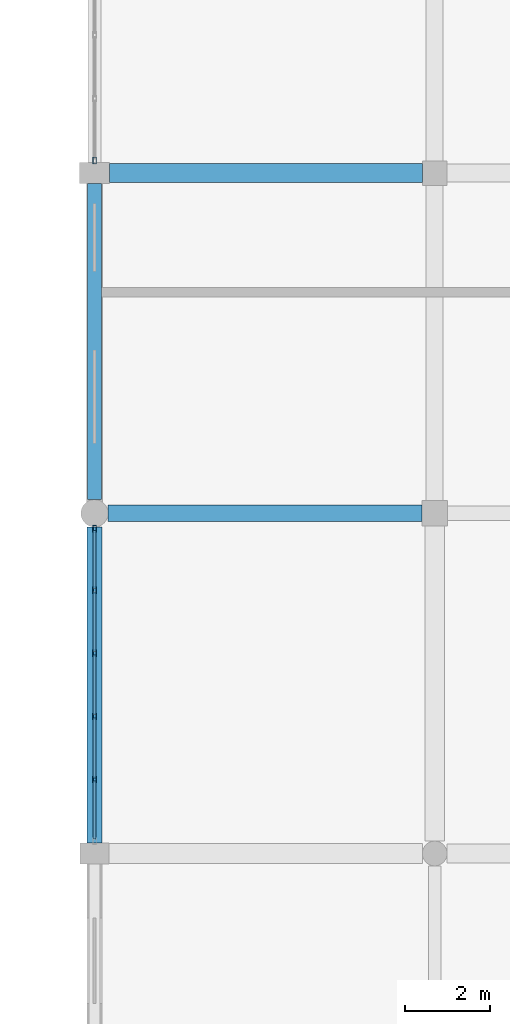
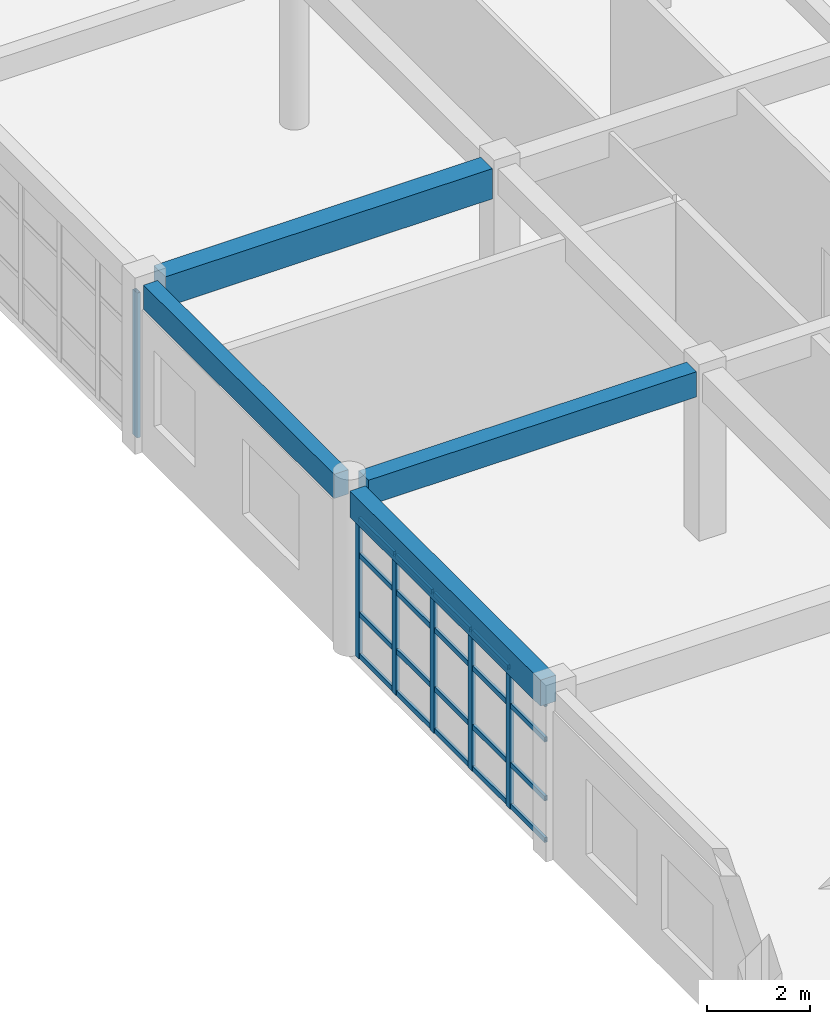
# One storey, part 19 of 53: 26 members, 4 beams, 2 elements without a shape of their own.
"""IFC4 building model written with IfcOpenShell, lengths in metres."""

from ifc_helpers import new_model, si_unit, direction, frame, origin, origin_2d, place, context, subcontext, project, spatial, rectangle, hollow_rectangle, extrude, material, material_profile, profile_set, type_object, element, aggregate, save


model = new_model("IFC4")

# Units and contexts
model_context = context("Model", 3, precision=1e-05, world=origin(), true_north=direction((0.0, 1.0)))
body_context = subcontext(model_context, "Body", "Model", "MODEL_VIEW")
ifc_project = project(units=[si_unit("LENGTHUNIT", "METRE"), si_unit("AREAUNIT", "SQUARE_METRE"), si_unit("VOLUMEUNIT", "CUBIC_METRE"), si_unit("PLANEANGLEUNIT", "RADIAN"), si_unit("MASSUNIT", "GRAM", prefix="KILO")], contexts=[model_context])

# Site, building, storey
site_placement = place(None, origin())
site = spatial("IfcSite", under=ifc_project, at=site_placement, CompositionType="ELEMENT")
building_placement = place(site_placement, origin())
building = spatial("IfcBuilding", under=site, at=building_placement, Name="Kharva Crest Polytechnic", CompositionType="ELEMENT")
storey_placement = place(building_placement, frame((0.0, 0.0, 17.39990234375)))
storey = spatial("IfcBuildingStorey", under=building, at=storey_placement, Name="L04", CompositionType="ELEMENT", Elevation=17.39990234375)

# Beams
ifc_material_1 = material(Name="Concrete C35/45", Category="concrete")
ifc_material_profile_1 = material_profile(ifc_material_1, rectangle(XDim=0.3798828125, YDim=0.60009765625, at=origin_2d()), Name="RECT 380 X 600")
ifc_profile_set_1 = profile_set([ifc_material_profile_1], Name="Concrete C35/45")
beam_type_1 = type_object("IfcBeamType", Name="BM-RC-380X600", PredefinedType="BEAM", material=ifc_profile_set_1)
beam_1_placement = place(storey_placement, frame((153.1201171875, 62.800048828125, 3.670166015625), z_axis=(1.0, 0.0, 0.0), x_axis=(0.0, 1.0, 0.0)))
element("IfcBeam", 1, at=beam_1_placement, inside=storey, type_object=beam_type_1, Name="L04 Beam J/20-21", PredefinedType="BEAM", context=body_context, shape_type="SweptSolid", body=[
    extrude(rectangle(XDim=0.3798828125, YDim=0.60009765625, at=origin_2d()), origin(), (0.0, 0.0, 1.0), 7.3798828125),
])
ifc_material_profile_2 = material_profile(ifc_material_1, rectangle(XDim=0.449951171875, YDim=0.719970703125, at=origin_2d()), Name="RECT 450 X 720")
ifc_profile_set_2 = profile_set([ifc_material_profile_2], Name="Concrete C35/45")
beam_type_2 = type_object("IfcBeamType", Name="BM-RC-450X720", PredefinedType="BEAM", material=ifc_profile_set_2)
beam_2_placement = place(storey_placement, frame((153.14990234375, 70.800048828125, 3.610107421875), z_axis=(1.0, 0.0, 0.0), x_axis=(0.0, 1.0, 0.0)))
element("IfcBeam", 2, at=beam_2_placement, inside=storey, type_object=beam_type_2, Name="L04 Beam K/20-21", PredefinedType="BEAM", context=body_context, shape_type="SweptSolid", body=[
    extrude(rectangle(XDim=0.449951171875, YDim=0.719970703125, at=origin_2d()), origin(), (0.0, 0.0, 1.0), 7.360107421875),
])

# Curtain wall, member
ifc_material_2 = material(Name="Tempered insulated glass", Category="glass")
curtain_wall_type = type_object("IfcCurtainWallType", Name="CW-SYS-STUDIO", PredefinedType="USERDEFINED", material=ifc_material_2)
curtain_wall_1_placement = place(storey_placement, origin())
curtain_wall_1 = element("IfcCurtainWall", 3, at=curtain_wall_1_placement, inside=storey, type_object=curtain_wall_type, Name="L04 Glazed Curtain Wall CW-183", ObjectType="CURTAIN WALL", PredefinedType="USERDEFINED")
ifc_material_3 = material(Name="Steel S355", Category="steel")
ifc_material_profile_3 = material_profile(ifc_material_3, hollow_rectangle(XDim=0.080078125, YDim=0.159912109375, WallThickness=0.0048828125, at=origin_2d()), Name="RHS 160X80X5.0")
ifc_profile_set_3 = profile_set([ifc_material_profile_3], Name="Steel S355")
member_type_1 = type_object("IfcMemberType", Name="CWM-RHS160X80", PredefinedType="MULLION", material=ifc_profile_set_3)
member_1_placement = place(storey_placement, frame((152.800048828125, 71.094970703125, 0.0), z_axis=(0.0, 0.0, 1.0), x_axis=(1.0, 0.0, 0.0)))
member_1 = element("IfcMember", 4, at=member_1_placement, type_object=member_type_1, Name="CW-183 mullion 6", PredefinedType="MULLION", context=body_context, shape_type="SweptSolid", body=[
    extrude(hollow_rectangle(XDim=0.080078125, YDim=0.159912109375, WallThickness=0.0048828125, at=origin_2d()), origin(), (0.0, 0.0, 1.0), 3.4501953125),
])
aggregate(curtain_wall_1, [member_1])

# Curtain wall, members
curtain_wall_2_placement = place(storey_placement, origin())
curtain_wall_2 = element("IfcCurtainWall", 5, at=curtain_wall_2_placement, inside=storey, type_object=curtain_wall_type, Name="L04 Glazed Curtain Wall CW-184", ObjectType="CURTAIN WALL", PredefinedType="USERDEFINED")
member_2_placement = place(storey_placement, frame((152.800048828125, 62.43505859375, 0.0), z_axis=(0.0, 0.0, 1.0), x_axis=(1.0, 0.0, 0.0)))
member_2 = element("IfcMember", 6, at=member_2_placement, type_object=member_type_1, Name="CW-184 mullion 1", PredefinedType="MULLION", context=body_context, shape_type="SweptSolid", body=[
    extrude(hollow_rectangle(XDim=0.080078125, YDim=0.159912109375, WallThickness=0.0048828125, at=origin_2d()), origin(), (0.0, 0.0, 1.0), 3.35009765625),
])
member_3_placement = place(storey_placement, frame((152.800048828125, 60.990966796875, 0.0), z_axis=(0.0, 0.0, 1.0), x_axis=(1.0, 0.0, 0.0)))
member_3 = element("IfcMember", 7, at=member_3_placement, type_object=member_type_1, Name="CW-184 mullion 2", PredefinedType="MULLION", context=body_context, shape_type="SweptSolid", body=[
    extrude(hollow_rectangle(XDim=0.080078125, YDim=0.159912109375, WallThickness=0.0048828125, at=origin_2d()), origin(), (0.0, 0.0, 1.0), 3.35009765625),
])
member_4_placement = place(storey_placement, frame((152.800048828125, 59.507080078125, 0.0), z_axis=(0.0, 0.0, 1.0), x_axis=(1.0, 0.0, 0.0)))
member_4 = element("IfcMember", 8, at=member_4_placement, type_object=member_type_1, Name="CW-184 mullion 3", PredefinedType="MULLION", context=body_context, shape_type="SweptSolid", body=[
    extrude(hollow_rectangle(XDim=0.080078125, YDim=0.159912109375, WallThickness=0.0048828125, at=origin_2d()), origin(), (0.0, 0.0, 1.0), 3.35009765625),
])
member_5_placement = place(storey_placement, frame((152.800048828125, 58.02294921875, 0.0), z_axis=(0.0, 0.0, 1.0), x_axis=(1.0, 0.0, 0.0)))
member_5 = element("IfcMember", 9, at=member_5_placement, type_object=member_type_1, Name="CW-184 mullion 4", PredefinedType="MULLION", context=body_context, shape_type="SweptSolid", body=[
    extrude(hollow_rectangle(XDim=0.080078125, YDim=0.159912109375, WallThickness=0.0048828125, at=origin_2d()), origin(), (0.0, 0.0, 1.0), 3.35009765625),
])
member_6_placement = place(storey_placement, frame((152.800048828125, 56.5390625, 0.0), z_axis=(0.0, 0.0, 1.0), x_axis=(1.0, 0.0, 0.0)))
member_6 = element("IfcMember", 10, at=member_6_placement, type_object=member_type_1, Name="CW-184 mullion 5", PredefinedType="MULLION", context=body_context, shape_type="SweptSolid", body=[
    extrude(hollow_rectangle(XDim=0.080078125, YDim=0.159912109375, WallThickness=0.0048828125, at=origin_2d()), origin(), (0.0, 0.0, 1.0), 3.35009765625),
])
ifc_material_profile_4 = material_profile(ifc_material_3, hollow_rectangle(XDim=0.06005859375, YDim=0.1201171875, WallThickness=0.00390625, at=origin_2d()), Name="RHS 120X60X4.0")
ifc_profile_set_4 = profile_set([ifc_material_profile_4], Name="Steel S355")
member_type_2 = type_object("IfcMemberType", Name="CWT-RHS120X60", PredefinedType="USERDEFINED", material=ifc_profile_set_4)
member_7_placement = place(storey_placement, frame((152.800048828125, 62.39501953125, 0.06005859375), z_axis=(0.0, -1.0, 0.0), x_axis=(1.0, 0.0, 0.0)))
member_7 = element("IfcMember", 11, at=member_7_placement, type_object=member_type_2, Name="CW-184 transom 1.1", ObjectType="TRANSOM", PredefinedType="USERDEFINED", context=body_context, shape_type="SweptSolid", body=[
    extrude(hollow_rectangle(XDim=0.06005859375, YDim=0.1201171875, WallThickness=0.00390625, at=origin_2d()), origin(), (0.0, 0.0, 1.0), 1.364013671875),
])
member_8_placement = place(storey_placement, frame((152.800048828125, 62.39501953125, 1.050048828125), z_axis=(0.0, -1.0, 0.0), x_axis=(1.0, 0.0, 0.0)))
member_8 = element("IfcMember", 12, at=member_8_placement, type_object=member_type_2, Name="CW-184 transom 1.2", ObjectType="TRANSOM", PredefinedType="USERDEFINED", context=body_context, shape_type="SweptSolid", body=[
    extrude(hollow_rectangle(XDim=0.06005859375, YDim=0.1201171875, WallThickness=0.00390625, at=origin_2d()), origin(), (0.0, 0.0, 1.0), 1.364013671875),
])
member_9_placement = place(storey_placement, frame((152.800048828125, 62.39501953125, 2.4501953125), z_axis=(0.0, -1.0, 0.0), x_axis=(1.0, 0.0, 0.0)))
member_9 = element("IfcMember", 13, at=member_9_placement, type_object=member_type_2, Name="CW-184 transom 1.3", ObjectType="TRANSOM", PredefinedType="USERDEFINED", context=body_context, shape_type="SweptSolid", body=[
    extrude(hollow_rectangle(XDim=0.06005859375, YDim=0.1201171875, WallThickness=0.00390625, at=origin_2d()), origin(), (0.0, 0.0, 1.0), 1.364013671875),
])
member_10_placement = place(storey_placement, frame((152.800048828125, 62.39501953125, 3.2900390625), z_axis=(0.0, -1.0, 0.0), x_axis=(1.0, 0.0, 0.0)))
member_10 = element("IfcMember", 14, at=member_10_placement, type_object=member_type_2, Name="CW-184 transom 1.4", ObjectType="TRANSOM", PredefinedType="USERDEFINED", context=body_context, shape_type="SweptSolid", body=[
    extrude(hollow_rectangle(XDim=0.06005859375, YDim=0.1201171875, WallThickness=0.00390625, at=origin_2d()), origin(), (0.0, 0.0, 1.0), 1.364013671875),
])
member_11_placement = place(storey_placement, frame((152.800048828125, 60.950927734375, 0.06005859375), z_axis=(0.0, -1.0, 0.0), x_axis=(1.0, 0.0, 0.0)))
member_11 = element("IfcMember", 15, at=member_11_placement, type_object=member_type_2, Name="CW-184 transom 2.1", ObjectType="TRANSOM", PredefinedType="USERDEFINED", context=body_context, shape_type="SweptSolid", body=[
    extrude(hollow_rectangle(XDim=0.06005859375, YDim=0.1201171875, WallThickness=0.00390625, at=origin_2d()), origin(), (0.0, 0.0, 1.0), 1.40380859375),
])
member_12_placement = place(storey_placement, frame((152.800048828125, 60.950927734375, 1.050048828125), z_axis=(0.0, -1.0, 0.0), x_axis=(1.0, 0.0, 0.0)))
member_12 = element("IfcMember", 16, at=member_12_placement, type_object=member_type_2, Name="CW-184 transom 2.2", ObjectType="TRANSOM", PredefinedType="USERDEFINED", context=body_context, shape_type="SweptSolid", body=[
    extrude(hollow_rectangle(XDim=0.06005859375, YDim=0.1201171875, WallThickness=0.00390625, at=origin_2d()), origin(), (0.0, 0.0, 1.0), 1.40380859375),
])
member_13_placement = place(storey_placement, frame((152.800048828125, 60.950927734375, 2.4501953125), z_axis=(0.0, -1.0, 0.0), x_axis=(1.0, 0.0, 0.0)))
member_13 = element("IfcMember", 17, at=member_13_placement, type_object=member_type_2, Name="CW-184 transom 2.3", ObjectType="TRANSOM", PredefinedType="USERDEFINED", context=body_context, shape_type="SweptSolid", body=[
    extrude(hollow_rectangle(XDim=0.06005859375, YDim=0.1201171875, WallThickness=0.00390625, at=origin_2d()), origin(), (0.0, 0.0, 1.0), 1.40380859375),
])
member_14_placement = place(storey_placement, frame((152.800048828125, 60.950927734375, 3.2900390625), z_axis=(0.0, -1.0, 0.0), x_axis=(1.0, 0.0, 0.0)))
member_14 = element("IfcMember", 18, at=member_14_placement, type_object=member_type_2, Name="CW-184 transom 2.4", ObjectType="TRANSOM", PredefinedType="USERDEFINED", context=body_context, shape_type="SweptSolid", body=[
    extrude(hollow_rectangle(XDim=0.06005859375, YDim=0.1201171875, WallThickness=0.00390625, at=origin_2d()), origin(), (0.0, 0.0, 1.0), 1.40380859375),
])
member_15_placement = place(storey_placement, frame((152.800048828125, 59.467041015625, 0.06005859375), z_axis=(0.0, -1.0, 0.0), x_axis=(1.0, 0.0, 0.0)))
member_15 = element("IfcMember", 19, at=member_15_placement, type_object=member_type_2, Name="CW-184 transom 3.1", ObjectType="TRANSOM", PredefinedType="USERDEFINED", context=body_context, shape_type="SweptSolid", body=[
    extrude(hollow_rectangle(XDim=0.06005859375, YDim=0.1201171875, WallThickness=0.00390625, at=origin_2d()), origin(), (0.0, 0.0, 1.0), 1.404052734375),
])
member_16_placement = place(storey_placement, frame((152.800048828125, 59.467041015625, 1.050048828125), z_axis=(0.0, -1.0, 0.0), x_axis=(1.0, 0.0, 0.0)))
member_16 = element("IfcMember", 20, at=member_16_placement, type_object=member_type_2, Name="CW-184 transom 3.2", ObjectType="TRANSOM", PredefinedType="USERDEFINED", context=body_context, shape_type="SweptSolid", body=[
    extrude(hollow_rectangle(XDim=0.06005859375, YDim=0.1201171875, WallThickness=0.00390625, at=origin_2d()), origin(), (0.0, 0.0, 1.0), 1.404052734375),
])
member_17_placement = place(storey_placement, frame((152.800048828125, 59.467041015625, 2.4501953125), z_axis=(0.0, -1.0, 0.0), x_axis=(1.0, 0.0, 0.0)))
member_17 = element("IfcMember", 21, at=member_17_placement, type_object=member_type_2, Name="CW-184 transom 3.3", ObjectType="TRANSOM", PredefinedType="USERDEFINED", context=body_context, shape_type="SweptSolid", body=[
    extrude(hollow_rectangle(XDim=0.06005859375, YDim=0.1201171875, WallThickness=0.00390625, at=origin_2d()), origin(), (0.0, 0.0, 1.0), 1.404052734375),
])
member_18_placement = place(storey_placement, frame((152.800048828125, 59.467041015625, 3.2900390625), z_axis=(0.0, -1.0, 0.0), x_axis=(1.0, 0.0, 0.0)))
member_18 = element("IfcMember", 22, at=member_18_placement, type_object=member_type_2, Name="CW-184 transom 3.4", ObjectType="TRANSOM", PredefinedType="USERDEFINED", context=body_context, shape_type="SweptSolid", body=[
    extrude(hollow_rectangle(XDim=0.06005859375, YDim=0.1201171875, WallThickness=0.00390625, at=origin_2d()), origin(), (0.0, 0.0, 1.0), 1.404052734375),
])
member_19_placement = place(storey_placement, frame((152.800048828125, 57.98291015625, 0.06005859375), z_axis=(0.0, -1.0, 0.0), x_axis=(1.0, 0.0, 0.0)))
member_19 = element("IfcMember", 23, at=member_19_placement, type_object=member_type_2, Name="CW-184 transom 4.1", ObjectType="TRANSOM", PredefinedType="USERDEFINED", context=body_context, shape_type="SweptSolid", body=[
    extrude(hollow_rectangle(XDim=0.06005859375, YDim=0.1201171875, WallThickness=0.00390625, at=origin_2d()), origin(), (0.0, 0.0, 1.0), 1.40380859375),
])
member_20_placement = place(storey_placement, frame((152.800048828125, 57.98291015625, 1.050048828125), z_axis=(0.0, -1.0, 0.0), x_axis=(1.0, 0.0, 0.0)))
member_20 = element("IfcMember", 24, at=member_20_placement, type_object=member_type_2, Name="CW-184 transom 4.2", ObjectType="TRANSOM", PredefinedType="USERDEFINED", context=body_context, shape_type="SweptSolid", body=[
    extrude(hollow_rectangle(XDim=0.06005859375, YDim=0.1201171875, WallThickness=0.00390625, at=origin_2d()), origin(), (0.0, 0.0, 1.0), 1.40380859375),
])
member_21_placement = place(storey_placement, frame((152.800048828125, 57.98291015625, 2.4501953125), z_axis=(0.0, -1.0, 0.0), x_axis=(1.0, 0.0, 0.0)))
member_21 = element("IfcMember", 25, at=member_21_placement, type_object=member_type_2, Name="CW-184 transom 4.3", ObjectType="TRANSOM", PredefinedType="USERDEFINED", context=body_context, shape_type="SweptSolid", body=[
    extrude(hollow_rectangle(XDim=0.06005859375, YDim=0.1201171875, WallThickness=0.00390625, at=origin_2d()), origin(), (0.0, 0.0, 1.0), 1.40380859375),
])
member_22_placement = place(storey_placement, frame((152.800048828125, 57.98291015625, 3.2900390625), z_axis=(0.0, -1.0, 0.0), x_axis=(1.0, 0.0, 0.0)))
member_22 = element("IfcMember", 26, at=member_22_placement, type_object=member_type_2, Name="CW-184 transom 4.4", ObjectType="TRANSOM", PredefinedType="USERDEFINED", context=body_context, shape_type="SweptSolid", body=[
    extrude(hollow_rectangle(XDim=0.06005859375, YDim=0.1201171875, WallThickness=0.00390625, at=origin_2d()), origin(), (0.0, 0.0, 1.0), 1.40380859375),
])
member_23_placement = place(storey_placement, frame((152.800048828125, 56.4990234375, 0.06005859375), z_axis=(0.0, -1.0, 0.0), x_axis=(1.0, 0.0, 0.0)))
member_23 = element("IfcMember", 27, at=member_23_placement, type_object=member_type_2, Name="CW-184 transom 5.1", ObjectType="TRANSOM", PredefinedType="USERDEFINED", context=body_context, shape_type="SweptSolid", body=[
    extrude(hollow_rectangle(XDim=0.06005859375, YDim=0.1201171875, WallThickness=0.00390625, at=origin_2d()), origin(), (0.0, 0.0, 1.0), 1.364013671875),
])
member_24_placement = place(storey_placement, frame((152.800048828125, 56.4990234375, 1.050048828125), z_axis=(0.0, -1.0, 0.0), x_axis=(1.0, 0.0, 0.0)))
member_24 = element("IfcMember", 28, at=member_24_placement, type_object=member_type_2, Name="CW-184 transom 5.2", ObjectType="TRANSOM", PredefinedType="USERDEFINED", context=body_context, shape_type="SweptSolid", body=[
    extrude(hollow_rectangle(XDim=0.06005859375, YDim=0.1201171875, WallThickness=0.00390625, at=origin_2d()), origin(), (0.0, 0.0, 1.0), 1.364013671875),
])
member_25_placement = place(storey_placement, frame((152.800048828125, 56.4990234375, 2.4501953125), z_axis=(0.0, -1.0, 0.0), x_axis=(1.0, 0.0, 0.0)))
member_25 = element("IfcMember", 29, at=member_25_placement, type_object=member_type_2, Name="CW-184 transom 5.3", ObjectType="TRANSOM", PredefinedType="USERDEFINED", context=body_context, shape_type="SweptSolid", body=[
    extrude(hollow_rectangle(XDim=0.06005859375, YDim=0.1201171875, WallThickness=0.00390625, at=origin_2d()), origin(), (0.0, 0.0, 1.0), 1.364013671875),
])
member_26_placement = place(storey_placement, frame((152.800048828125, 56.4990234375, 3.2900390625), z_axis=(0.0, -1.0, 0.0), x_axis=(1.0, 0.0, 0.0)))
member_26 = element("IfcMember", 30, at=member_26_placement, type_object=member_type_2, Name="CW-184 transom 5.4", ObjectType="TRANSOM", PredefinedType="USERDEFINED", context=body_context, shape_type="SweptSolid", body=[
    extrude(hollow_rectangle(XDim=0.06005859375, YDim=0.1201171875, WallThickness=0.00390625, at=origin_2d()), origin(), (0.0, 0.0, 1.0), 1.364013671875),
])
aggregate(curtain_wall_2, [member_2, member_3, member_4, member_5, member_6, member_7, member_8, member_9, member_10, member_11, member_12, member_13, member_14, member_15, member_16, member_17, member_18, member_19, member_20, member_21, member_22, member_23, member_24, member_25, member_26])

# Beams
ifc_material_profile_5 = material_profile(ifc_material_1, rectangle(XDim=0.320068359375, YDim=0.580078125, at=origin_2d()), Name="RECT 320 X 580")
ifc_profile_set_5 = profile_set([ifc_material_profile_5], Name="Concrete C35/45")
beam_type_3 = type_object("IfcBeamType", Name="SP-RC-320X580", PredefinedType="SPANDREL", material=ifc_profile_set_5)
beam_3_placement = place(storey_placement, frame((152.800048828125, 63.1201171875, 3.68017578125), z_axis=(0.0, 1.0, 0.0), x_axis=(-1.0, 0.0, 0.0)))
element("IfcBeam", 31, at=beam_3_placement, inside=storey, type_object=beam_type_3, Name="L04 Girder 20/J-K", PredefinedType="SPANDREL", context=body_context, shape_type="SweptSolid", body=[
    extrude(rectangle(XDim=0.320068359375, YDim=0.580078125, at=origin_2d()), origin(), (0.0, 0.0, 1.0), 7.429931640625),
])
ifc_material_profile_6 = material_profile(ifc_material_1, rectangle(XDim=0.35009765625, YDim=0.6201171875, at=origin_2d()), Name="RECT 350 X 620")
ifc_profile_set_6 = profile_set([ifc_material_profile_6], Name="Concrete C35/45")
beam_type_4 = type_object("IfcBeamType", Name="SP-RC-350X620", PredefinedType="SPANDREL", material=ifc_profile_set_6)
beam_4_placement = place(storey_placement, frame((152.800048828125, 55.050048828125, 3.66015625), z_axis=(0.0, 1.0, 0.0), x_axis=(-1.0, 0.0, 0.0)))
element("IfcBeam", 32, at=beam_4_placement, inside=storey, type_object=beam_type_4, Name="L04 Girder 20/H-J", PredefinedType="SPANDREL", context=body_context, shape_type="SweptSolid", body=[
    extrude(rectangle(XDim=0.35009765625, YDim=0.6201171875, at=origin_2d()), origin(), (0.0, 0.0, 1.0), 7.429931640625),
])

save(model, "model.ifc")
